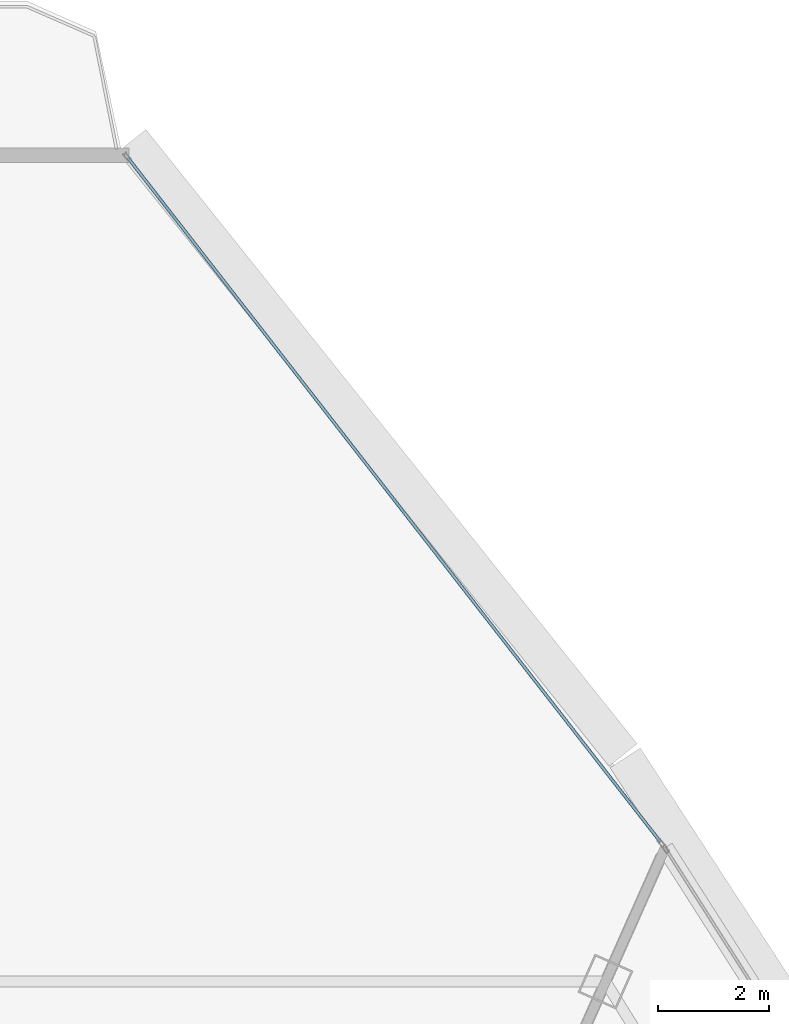
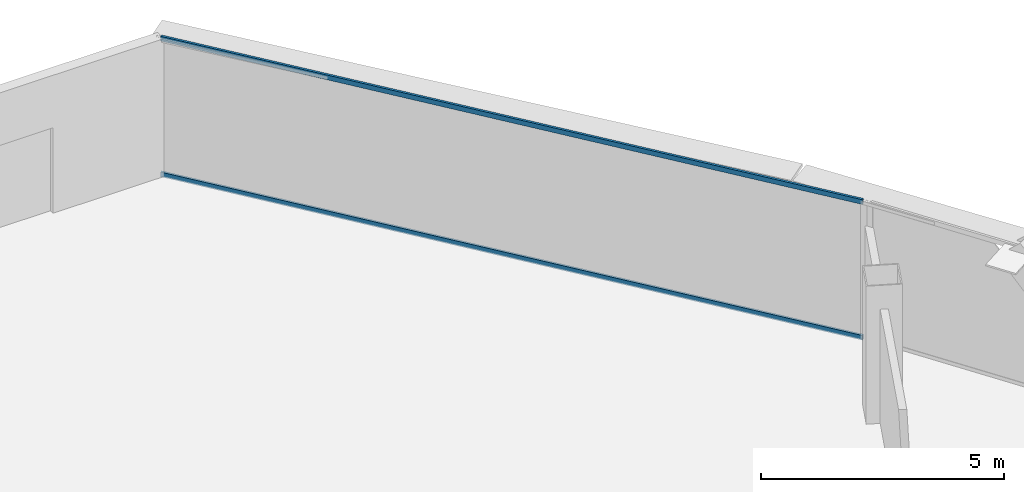
# One storey, part 27 of 39: 2 members, 1 element without a shape of its own.
"""IFC4 building model written with IfcOpenShell, lengths in metres."""

from ifc_helpers import new_model, si_unit, direction, frame, origin, origin_2d, place, context, subcontext, project, spatial, hollow_rectangle, extrude, source, transform, mapped, material, layer, layer_set, material_profile, profile_set, type_object, element, aggregate, save


model = new_model("IFC4")

# Units and contexts
model_context = context("Model", 3, precision=1e-05, world=origin(), true_north=direction((0.0, 1.0)))
body_context = subcontext(model_context, "Body", "Model", "MODEL_VIEW")
ifc_project = project(units=[si_unit("LENGTHUNIT", "METRE"), si_unit("AREAUNIT", "SQUARE_METRE"), si_unit("VOLUMEUNIT", "CUBIC_METRE"), si_unit("PLANEANGLEUNIT", "RADIAN"), si_unit("MASSUNIT", "GRAM", prefix="KILO"), si_unit("THERMODYNAMICTEMPERATUREUNIT", "KELVIN"), si_unit("POWERUNIT", "WATT")], contexts=[model_context])

# Site, building, storey
site_placement = place(None, origin())
site = spatial("IfcSite", under=ifc_project, at=site_placement, CompositionType="ELEMENT")
building_placement = place(site_placement, origin())
building = spatial("IfcBuilding", under=site, at=building_placement, Name="Yunzhuo Pagoda Commons", CompositionType="ELEMENT")
storey_placement = place(building_placement, frame((0.0, 0.0, 296.2099609375)))
storey = spatial("IfcBuildingStorey", under=building, at=storey_placement, Name="L74", CompositionType="ELEMENT", Elevation=296.2099609375)

# Curtain wall, members
ifc_material = material(Name="Anodized aluminium 6063-T6", Category="aluminium")
ifc_layer = layer(ifc_material, 0.139892578125)
ifc_layer_set = layer_set([ifc_layer], Name="Anodized aluminium 6063-T6")
curtain_wall_type = type_object("IfcCurtainWallType", Name="CW-HI High-Zone Ribbon Curtain Wall", PredefinedType="NOTDEFINED", material=ifc_layer_set)
curtain_wall_placement = place(storey_placement, origin())
curtain_wall = element("IfcCurtainWall", 1, at=curtain_wall_placement, inside=storey, type_object=curtain_wall_type, Name="L74 curtain wall CW-L74-F2B5", PredefinedType="NOTDEFINED")
ifc_material_profile = material_profile(ifc_material, hollow_rectangle(XDim=0.054931640625, YDim=0.1201171875, WallThickness=0.00341796875, at=origin_2d()), Name="Anodized aluminium 6063-T6")
ifc_profile_set = profile_set([ifc_material_profile], Name="Anodized aluminium 6063-T6")
member_type = type_object("IfcMemberType", Name="CW-HI-T Transom RHS 120x55x3.5", PredefinedType="USERDEFINED", material=ifc_profile_set)
shared_shape = source(origin(), body_context, "Body", "SweptSolid", [
    extrude(hollow_rectangle(XDim=0.054931640625, YDim=0.1201171875, WallThickness=0.00341796875, at=origin_2d()), origin(), (0.0, 0.0, 1.0), 15.608642578125),
])
member_1_placement = place(storey_placement, frame((61.1044921875, 63.426025390625, 0.027587890625), z_axis=(-0.614253513631, 0.789108751055, 0.0), x_axis=(-0.789108751055, -0.614253513631, 0.0)))
member_1 = element("IfcMember", 2, at=member_1_placement, type_object=member_type, Name="CW transom 1.1", ObjectType="TRANSOM", PredefinedType="USERDEFINED", context=body_context, shape_type="MappedRepresentation", body=[
    mapped(shared_shape, transform((0.0, 0.0, 0.0), scale=1.0)),
])
member_2_placement = place(storey_placement, frame((61.1044921875, 63.426025390625, 3.442626953125), z_axis=(-0.614253513631, 0.789108751055, 0.0), x_axis=(-0.789108751055, -0.614253513631, 0.0)))
member_2 = element("IfcMember", 3, at=member_2_placement, type_object=member_type, Name="CW transom 1.2", ObjectType="TRANSOM", PredefinedType="USERDEFINED", context=body_context, shape_type="MappedRepresentation", body=[
    mapped(shared_shape, transform((0.0, 0.0, 0.0), scale=1.0)),
])
aggregate(curtain_wall, [member_1, member_2])

save(model, "model.ifc")
